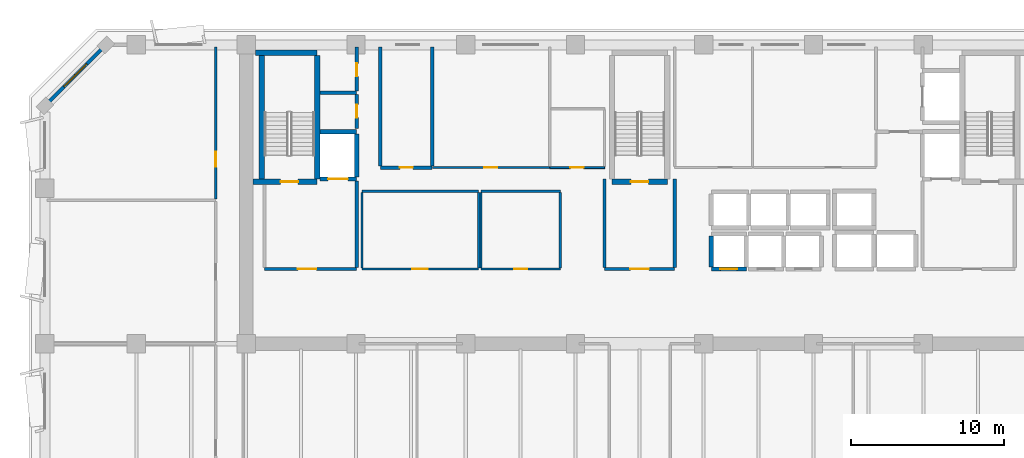
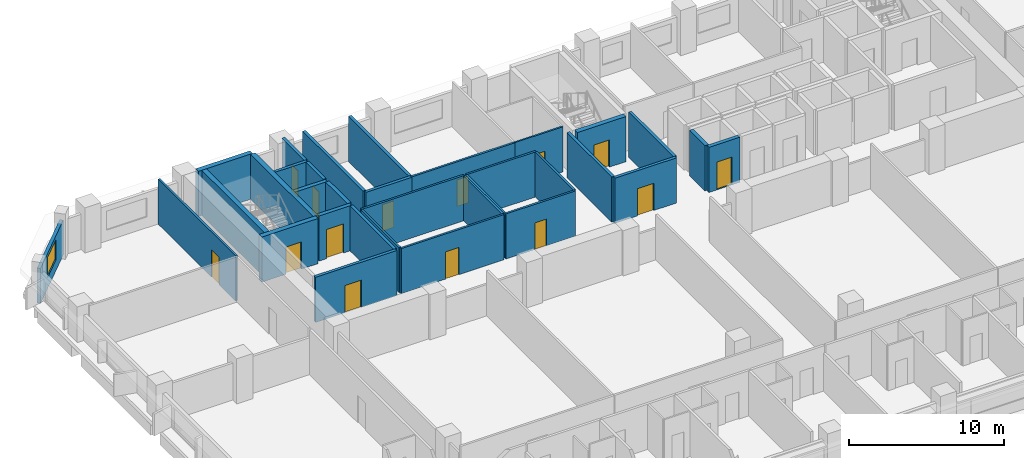
# One storey, part 7 of 15: 33 walls, 14 doors, 1 window, 15 openings.
"""IFC4 building model written with IfcOpenShell, lengths in metres."""

from ifc_helpers import new_model, si_unit, direction, frame, frame_2d, origin, place, context, subcontext, project, spatial, rectangle, extrude, material, layer, layer_set, type_object, element, fill, save


model = new_model("IFC4")

# Units and contexts
model_context = context("Model", 3, precision=1e-05, world=origin(), true_north=direction((0.0, 1.0)))
body_context = subcontext(model_context, "Body", "Model", "MODEL_VIEW")
ifc_project = project(units=[si_unit("LENGTHUNIT", "METRE"), si_unit("AREAUNIT", "SQUARE_METRE"), si_unit("VOLUMEUNIT", "CUBIC_METRE"), si_unit("PLANEANGLEUNIT", "RADIAN"), si_unit("MASSUNIT", "GRAM", prefix="KILO")], contexts=[model_context])

# Site, building, storey
site_placement = place(None, origin())
site = spatial("IfcSite", under=ifc_project, at=site_placement, CompositionType="ELEMENT")
building_placement = place(site_placement, origin())
building = spatial("IfcBuilding", under=site, at=building_placement, Name="Kaelvorn Grand Hotel", CompositionType="ELEMENT")
storey_placement = place(building_placement, frame((0.0, 0.0, 139.14990234375)))
storey = spatial("IfcBuildingStorey", under=building, at=storey_placement, Name="L33", CompositionType="ELEMENT", Elevation=139.14990234375)

# Wall, opening, window
ifc_material_1 = material(Name="Concrete C40/50", Category="concrete")
ifc_layer_1 = layer(ifc_material_1, 0.239990234375)
ifc_layer_set_1 = layer_set([ifc_layer_1], Name="Concrete C40/50")
wall_type_1 = type_object("IfcWallType", Name="WL-EXT-240-C40", PredefinedType="SOLIDWALL", material=ifc_layer_set_1)
wall_1_placement = place(storey_placement, frame((7.0, 49.0, 0.0), z_axis=(0.0, 0.0, 1.0), x_axis=(-0.707106781187, -0.707106781187, 0.0)))
wall_1 = element("IfcWall", 1, at=wall_1_placement, inside=storey, type_object=wall_type_1, Name="L33 Exterior Architectural Concrete Wall 06", PredefinedType="SOLIDWALL", context=body_context, shape_type="SweptSolid", body=[
    extrude(rectangle(XDim=5.65673828125, YDim=0.239990234375, at=frame_2d((2.828369140625, 0.0))), origin(), (0.0, 0.0, 1.0), 2.760009765625),
])
opening_1_placement = place(wall_1_placement, frame((1.7783203125, 0.0, 0.85009765625)))
opening_1 = element("IfcOpeningElement", 2, at=opening_1_placement, cuts=wall_1, Name="Opening W7", PredefinedType="OPENING", context=body_context, shape_type="SweptSolid", body=[
    extrude(rectangle(XDim=2.10009765625, YDim=1.60009765625, at=frame_2d((1.050048828125, 0.800048828125))), frame((0.0, 0.1298828125, 0.0), z_axis=(0.0, -1.0, 0.0), x_axis=(1.0, 0.0, 0.0)), (0.0, 0.0, 1.0), 0.260009765625),
])
ifc_material_2 = material(Name="Laminated Low-E Glass", Category="glass")
window_type = type_object("IfcWindowType", Name="WIN-CHM-2100x1600", PartitioningType="SINGLE_PANEL", PredefinedType="WINDOW", material=ifc_material_2)
window_placement = place(opening_1_placement, origin())
window = element("IfcWindow", 3, at=window_placement, inside=storey, type_object=window_type, Name="L33 Chamfered 45-Degree Corner Window NW", OverallHeight=1.60009765625, OverallWidth=2.10009765625, PartitioningType="SINGLE_PANEL", PredefinedType="WINDOW", context=body_context, shape_type="SweptSolid", body=[
    extrude(rectangle(XDim=2.10009765625, YDim=1.60009765625, at=frame_2d((1.050048828125, 0.800048828125))), frame((0.0, 0.030029296875, 0.0), z_axis=(0.0, -1.0, 0.0), x_axis=(1.0, 0.0, 0.0)), (0.0, 0.0, 1.0), 0.06005859375),
])
fill(opening_1, window)

# Wall, opening, door
ifc_material_3 = material(Name="Moisture-Resistant Tile & Stud Board")
ifc_layer_2 = layer(ifc_material_3, 0.125)
ifc_layer_set_2 = layer_set([ifc_layer_2], Name="Moisture-Resistant Tile & Stud Board")
wall_type_2 = type_object("IfcWallType", Name="WL-PART-125-WET", PredefinedType="PARTITIONING", material=ifc_layer_set_2)
wall_2_placement = place(storey_placement, frame((36.110107421875, 40.949951171875, 0.0), z_axis=(0.0, 0.0, 1.0), x_axis=(1.0, 0.0, 0.0)))
wall_2 = element("IfcWall", 4, at=wall_2_placement, inside=storey, type_object=wall_type_2, Name="L33 Accessible WC S Partition", PredefinedType="PARTITIONING", context=body_context, shape_type="SweptSolid", body=[
    extrude(rectangle(XDim=3.58984375, YDim=0.125, at=frame_2d((1.794921875, 0.0))), origin(), (0.0, 0.0, 1.0), 3.56005859375),
])
opening_2_placement = place(wall_2_placement, frame((1.340087890625, 0.0, 0.0)))
opening_2 = element("IfcOpeningElement", 5, at=opening_2_placement, cuts=wall_2, Name="Opening DI4", PredefinedType="OPENING", context=body_context, shape_type="SweptSolid", body=[
    extrude(rectangle(XDim=0.89990234375, YDim=2.10009765625, at=frame_2d((0.449951171875, 1.050048828125))), frame((0.0, 0.072509765625, 0.0), z_axis=(0.0, -1.0, 0.0), x_axis=(1.0, 0.0, 0.0)), (0.0, 0.0, 1.0), 0.14501953125),
])
ifc_material_4 = material(Name="Timber Veneer Leaf", Category="wood")
door_type_1 = type_object("IfcDoorType", Name="DR-INT-BATH-900x2100", OperationType="NOTDEFINED", PredefinedType="DOOR", material=ifc_material_4)
door_1_placement = place(opening_2_placement, origin())
door_1 = element("IfcDoor", 6, at=door_1_placement, inside=storey, type_object=door_type_1, Name="L33 Accessible WC Door", OperationType="SINGLE_SWING_RIGHT", OverallHeight=2.10009765625, OverallWidth=0.89990234375, PredefinedType="DOOR", context=body_context, shape_type="SweptSolid", body=[
    extrude(rectangle(XDim=0.89990234375, YDim=2.10009765625, at=frame_2d((0.449951171875, 1.050048828125))), frame((0.0, 0.02490234375, 0.0), z_axis=(0.0, -1.0, 0.0), x_axis=(1.0, 0.0, 0.0)), (0.0, 0.0, 1.0), 0.050048828125),
])
fill(opening_2, door_1)

ifc_material_5 = material(Name="Acoustic Gypsum & Stud Partition")
ifc_layer_3 = layer(ifc_material_5, 0.14990234375)
ifc_layer_set_3 = layer_set([ifc_layer_3], Name="Acoustic Gypsum & Stud Partition")
wall_type_3 = type_object("IfcWallType", Name="WL-PART-150-EI60", PredefinedType="PARTITIONING", material=ifc_layer_set_3)
wall_3_placement = place(storey_placement, frame((31.60009765625, 34.300048828125, 0.0), z_axis=(0.0, 0.0, 1.0), x_axis=(1.0, 0.0, 0.0)))
wall_3 = element("IfcWall", 7, at=wall_3_placement, inside=storey, type_object=wall_type_3, Name="L33 Core Telecoms & BMS Server Room S Partition", PredefinedType="PARTITIONING", context=body_context, shape_type="SweptSolid", body=[
    extrude(rectangle(XDim=5.199951171875, YDim=0.14990234375, at=frame_2d((2.60009765625, 0.0))), origin(), (0.0, 0.0, 1.0), 3.56005859375),
])
opening_3_placement = place(wall_3_placement, frame((2.175048828125, 0.0, 0.0)))
opening_3 = element("IfcOpeningElement", 8, at=opening_3_placement, cuts=wall_3, Name="Opening DI7", PredefinedType="OPENING", context=body_context, shape_type="SweptSolid", body=[
    extrude(rectangle(XDim=0.85009765625, YDim=2.10009765625, at=frame_2d((0.425048828125, 1.050048828125))), frame((0.0, 0.0849609375, 0.0), z_axis=(0.0, -1.0, 0.0), x_axis=(1.0, 0.0, 0.0)), (0.0, 0.0, 1.0), 0.169921875),
])
ifc_material_6 = material(Name="Powder-Coated Steel Leaf", Category="steel")
door_type_2 = type_object("IfcDoorType", Name="DR-INT-RISER-850x2100", OperationType="NOTDEFINED", PredefinedType="DOOR", material=ifc_material_6)
door_2_placement = place(opening_3_placement, origin())
door_2 = element("IfcDoor", 9, at=door_2_placement, inside=storey, type_object=door_type_2, Name="L33 Core Telecoms & BMS Server Room Door", OperationType="SINGLE_SWING_RIGHT", OverallHeight=2.10009765625, OverallWidth=0.85009765625, PredefinedType="DOOR", context=body_context, shape_type="SweptSolid", body=[
    extrude(rectangle(XDim=0.85009765625, YDim=2.10009765625, at=frame_2d((0.425048828125, 1.050048828125))), frame((0.0, 0.02490234375, 0.0), z_axis=(0.0, -1.0, 0.0), x_axis=(1.0, 0.0, 0.0)), (0.0, 0.0, 1.0), 0.050048828125),
])
fill(opening_3, door_2)

# Walls
wall_4_placement = place(storey_placement, frame((31.60009765625, 39.39990234375, 0.0), z_axis=(0.0, 0.0, 1.0), x_axis=(1.0, 0.0, 0.0)))
element("IfcWall", 10, at=wall_4_placement, inside=storey, type_object=wall_type_3, Name="L33 Core Telecoms & BMS Server Room N Partition", PredefinedType="PARTITIONING", context=body_context, shape_type="SweptSolid", body=[
    extrude(rectangle(XDim=5.199951171875, YDim=0.14990234375, at=frame_2d((2.60009765625, 0.0))), origin(), (0.0, 0.0, 1.0), 3.56005859375),
])
for number, where, z_axis, x_axis, name in (
    (11, (31.60009765625, 34.3798828125, 0.0), (0.0, 0.0, 1.0), (0.0, 1.0, 0.0), "L33 Core Telecoms & BMS Server Room W Partition"),
    (12, (36.800048828125, 34.3798828125, 0.0), (0.0, 0.0, 1.0), (0.0, 1.0, 0.0), "L33 Core Telecoms & BMS Server Room E Partition"),
):
    element("IfcWall", number, at=place(storey_placement, frame(where, z_axis=z_axis, x_axis=x_axis)), inside=storey, type_object=wall_type_3, Name=name, PredefinedType="PARTITIONING", context=body_context, shape_type="SweptSolid", body=[
        extrude(rectangle(XDim=4.940185546875, YDim=0.14990234375, at=frame_2d((2.47021484375, 0.0))), origin(), (0.0, 0.0, 1.0), 3.56005859375),
    ])

# Wall, opening, door
wall_5_placement = place(storey_placement, frame((23.800048828125, 34.300048828125, 0.0), z_axis=(0.0, 0.0, 1.0), x_axis=(1.0, 0.0, 0.0)))
wall_5 = element("IfcWall", 13, at=wall_5_placement, inside=storey, type_object=wall_type_3, Name="L33 Executive Club Sitting Lounge S Partition", PredefinedType="PARTITIONING", context=body_context, shape_type="SweptSolid", body=[
    extrude(rectangle(XDim=7.64990234375, YDim=0.14990234375, at=frame_2d((3.824951171875, 0.0))), origin(), (0.0, 0.0, 1.0), 3.56005859375),
])
opening_4_placement = place(wall_5_placement, frame((3.300048828125, 0.0, 0.0)))
opening_4 = element("IfcOpeningElement", 14, at=opening_4_placement, cuts=wall_5, Name="Opening DI3", PredefinedType="OPENING", context=body_context, shape_type="SweptSolid", body=[
    extrude(rectangle(XDim=1.0, YDim=2.14990234375, at=frame_2d((0.5, 1.074951171875))), frame((0.0, 0.0849609375, 0.0), z_axis=(0.0, -1.0, 0.0), x_axis=(1.0, 0.0, 0.0)), (0.0, 0.0, 1.0), 0.169921875),
])
ifc_material_7 = material(Name="Timber Veneer Fire Leaf", Category="wood")
door_type_3 = type_object("IfcDoorType", Name="DR-INT-GUEST-1000x2150", OperationType="NOTDEFINED", PredefinedType="DOOR", material=ifc_material_7)
door_3_placement = place(opening_4_placement, origin())
door_3 = element("IfcDoor", 15, at=door_3_placement, inside=storey, type_object=door_type_3, Name="L33 Executive Club Sitting Lounge Door", OperationType="SINGLE_SWING_LEFT", OverallHeight=2.14990234375, OverallWidth=1.0, PredefinedType="DOOR", context=body_context, shape_type="SweptSolid", body=[
    extrude(rectangle(XDim=1.0, YDim=2.14990234375, at=frame_2d((0.5, 1.074951171875))), frame((0.0, 0.02490234375, 0.0), z_axis=(0.0, -1.0, 0.0), x_axis=(1.0, 0.0, 0.0)), (0.0, 0.0, 1.0), 0.050048828125),
])
fill(opening_4, door_3)

# Walls
wall_6_placement = place(storey_placement, frame((23.800048828125, 39.39990234375, 0.0), z_axis=(0.0, 0.0, 1.0), x_axis=(1.0, 0.0, 0.0)))
element("IfcWall", 16, at=wall_6_placement, inside=storey, type_object=wall_type_3, Name="L33 Executive Club Sitting Lounge N Partition", PredefinedType="PARTITIONING", context=body_context, shape_type="SweptSolid", body=[
    extrude(rectangle(XDim=7.64990234375, YDim=0.14990234375, at=frame_2d((3.824951171875, 0.0))), origin(), (0.0, 0.0, 1.0), 3.56005859375),
])
for number, where, z_axis, x_axis, name in (
    (17, (23.800048828125, 34.3798828125, 0.0), (0.0, 0.0, 1.0), (0.0, 1.0, 0.0), "L33 Executive Club Sitting Lounge W Partition"),
    (18, (31.449951171875, 34.3798828125, 0.0), (0.0, 0.0, 1.0), (0.0, 1.0, 0.0), "L33 Executive Club Sitting Lounge E Partition"),
):
    element("IfcWall", number, at=place(storey_placement, frame(where, z_axis=z_axis, x_axis=x_axis)), inside=storey, type_object=wall_type_3, Name=name, PredefinedType="PARTITIONING", context=body_context, shape_type="SweptSolid", body=[
        extrude(rectangle(XDim=4.940185546875, YDim=0.14990234375, at=frame_2d((2.47021484375, 0.0))), origin(), (0.0, 0.0, 1.0), 3.56005859375),
    ])

# Wall, opening, door
wall_7_placement = place(storey_placement, frame((28.409912109375, 40.949951171875, 0.0), z_axis=(0.0, 0.0, 1.0), x_axis=(1.0, 0.0, 0.0)))
wall_7 = element("IfcWall", 19, at=wall_7_placement, inside=storey, type_object=wall_type_3, Name="L33 Housekeeping & Linen Room S Partition", PredefinedType="PARTITIONING", context=body_context, shape_type="SweptSolid", body=[
    extrude(rectangle(XDim=7.690185546875, YDim=0.14990234375, at=frame_2d((3.84521484375, 0.0))), origin(), (0.0, 0.0, 1.0), 3.56005859375),
])
opening_5_placement = place(wall_7_placement, frame((3.4150390625, 0.0, 0.0)))
opening_5 = element("IfcOpeningElement", 20, at=opening_5_placement, cuts=wall_7, Name="Opening DI7", PredefinedType="OPENING", context=body_context, shape_type="SweptSolid", body=[
    extrude(rectangle(XDim=0.85009765625, YDim=2.10009765625, at=frame_2d((0.425048828125, 1.050048828125))), frame((0.0, 0.0849609375, 0.0), z_axis=(0.0, -1.0, 0.0), x_axis=(1.0, 0.0, 0.0)), (0.0, 0.0, 1.0), 0.169921875),
])
door_4_placement = place(opening_5_placement, origin())
door_4 = element("IfcDoor", 21, at=door_4_placement, inside=storey, type_object=door_type_2, Name="L33 Housekeeping & Linen Room Door", OperationType="SINGLE_SWING_LEFT", OverallHeight=2.10009765625, OverallWidth=0.85009765625, PredefinedType="DOOR", context=body_context, shape_type="SweptSolid", body=[
    extrude(rectangle(XDim=0.85009765625, YDim=2.10009765625, at=frame_2d((0.425048828125, 1.050048828125))), frame((0.0, 0.02490234375, 0.0), z_axis=(0.0, -1.0, 0.0), x_axis=(1.0, 0.0, 0.0)), (0.0, 0.0, 1.0), 0.050048828125),
])
fill(opening_5, door_4)

wall_8_placement = place(storey_placement, frame((14.199951171875, 38.8798828125, 0.0), z_axis=(0.0, 0.0, 1.0), x_axis=(0.0, 1.0, 0.0)))
wall_8 = element("IfcWall", 22, at=wall_8_placement, inside=storey, type_object=wall_type_3, Name="L33 North-West Hospitality Tea Kitchen E Partition", PredefinedType="PARTITIONING", context=body_context, shape_type="SweptSolid", body=[
    extrude(rectangle(XDim=9.97021484375, YDim=0.14990234375, at=frame_2d((4.985107421875, 0.0))), origin(), (0.0, 0.0, 1.0), 3.56005859375),
])
opening_6_placement = place(wall_8_placement, frame((2.1201171875, 0.0, 0.0)))
opening_6 = element("IfcOpeningElement", 23, at=opening_6_placement, cuts=wall_8, Name="Opening DI3", PredefinedType="OPENING", context=body_context, shape_type="SweptSolid", body=[
    extrude(rectangle(XDim=1.0, YDim=2.14990234375, at=frame_2d((0.5, 1.074951171875))), frame((0.0, 0.0849609375, 0.0), z_axis=(0.0, -1.0, 0.0), x_axis=(1.0, 0.0, 0.0)), (0.0, 0.0, 1.0), 0.169921875),
])
door_5_placement = place(opening_6_placement, origin())
door_5 = element("IfcDoor", 24, at=door_5_placement, inside=storey, type_object=door_type_3, Name="L33 North-West Hospitality Tea Kitchen Door", OperationType="SINGLE_SWING_RIGHT", OverallHeight=2.14990234375, OverallWidth=1.0, PredefinedType="DOOR", context=body_context, shape_type="SweptSolid", body=[
    extrude(rectangle(XDim=1.0, YDim=2.14990234375, at=frame_2d((0.5, 1.074951171875))), frame((0.0, 0.02490234375, 0.0), z_axis=(0.0, -1.0, 0.0), x_axis=(1.0, 0.0, 0.0)), (0.0, 0.0, 1.0), 0.050048828125),
])
fill(opening_6, door_5)

ifc_layer_4 = layer(ifc_material_1, 0.219970703125)
ifc_layer_set_4 = layer_set([ifc_layer_4], Name="Concrete C40/50")
wall_type_4 = type_object("IfcWallType", Name="WL-PART-220-EI120", PredefinedType="PARTITIONING", material=ifc_layer_set_4)
wall_9_placement = place(storey_placement, frame((17.39990234375, 34.300048828125, 0.0), z_axis=(0.0, 0.0, 1.0), x_axis=(1.0, 0.0, 0.0)))
wall_9 = element("IfcWall", 25, at=wall_9_placement, inside=storey, type_object=wall_type_4, Name="L33 Firefighting Lift Lobby 1 S Partition", PredefinedType="PARTITIONING", context=body_context, shape_type="SweptSolid", body=[
    extrude(rectangle(XDim=6.050048828125, YDim=0.219970703125, at=frame_2d((3.02490234375, 0.0))), origin(), (0.0, 0.0, 1.0), 3.56005859375),
])
opening_7_placement = place(wall_9_placement, frame((2.199951171875, 0.0, 0.0)))
opening_7 = element("IfcOpeningElement", 26, at=opening_7_placement, cuts=wall_9, Name="Opening DI2", PredefinedType="OPENING", context=body_context, shape_type="SweptSolid", body=[
    extrude(rectangle(XDim=1.199951171875, YDim=2.14990234375, at=frame_2d((0.60009765625, 1.074951171875))), frame((0.0, 0.1201171875, 0.0), z_axis=(0.0, -1.0, 0.0), x_axis=(1.0, 0.0, 0.0)), (0.0, 0.0, 1.0), 0.239990234375),
])
door_type_4 = type_object("IfcDoorType", Name="DR-INT-FFLOB-1200x2150", OperationType="NOTDEFINED", PredefinedType="DOOR", material=ifc_material_7)
door_6_placement = place(opening_7_placement, origin())
door_6 = element("IfcDoor", 27, at=door_6_placement, inside=storey, type_object=door_type_4, Name="L33 Firefighting Lift Lobby 1 Door", OperationType="SINGLE_SWING_RIGHT", OverallHeight=2.14990234375, OverallWidth=1.199951171875, PredefinedType="DOOR", context=body_context, shape_type="SweptSolid", body=[
    extrude(rectangle(XDim=1.199951171875, YDim=2.14990234375, at=frame_2d((0.60009765625, 1.074951171875))), frame((0.0, 0.02490234375, 0.0), z_axis=(0.0, -1.0, 0.0), x_axis=(1.0, 0.0, 0.0)), (0.0, 0.0, 1.0), 0.050048828125),
])
fill(opening_7, door_6)

# Wall
wall_10_placement = place(storey_placement, frame((23.449951171875, 34.4150390625, 0.0), z_axis=(0.0, 0.0, 1.0), x_axis=(0.0, 1.0, 0.0)))
element("IfcWall", 28, at=wall_10_placement, inside=storey, type_object=wall_type_4, Name="L33 Firefighting Lift Lobby 1 E Partition", PredefinedType="PARTITIONING", context=body_context, shape_type="SweptSolid", body=[
    extrude(rectangle(XDim=5.639892578125, YDim=0.219970703125, at=frame_2d((2.81982421875, 0.0))), origin(), (0.0, 0.0, 1.0), 3.56005859375),
])

# Wall, opening, door
wall_11_placement = place(storey_placement, frame((39.699951171875, 34.300048828125, 0.0), z_axis=(0.0, 0.0, 1.0), x_axis=(1.0, 0.0, 0.0)))
wall_11 = element("IfcWall", 29, at=wall_11_placement, inside=storey, type_object=wall_type_4, Name="L33 Central Stair Escape Vestibule S Partition", PredefinedType="PARTITIONING", context=body_context, shape_type="SweptSolid", body=[
    extrude(rectangle(XDim=4.60009765625, YDim=0.219970703125, at=frame_2d((2.300048828125, 0.0))), origin(), (0.0, 0.0, 1.0), 3.56005859375),
])
opening_8_placement = place(wall_11_placement, frame((1.699951171875, 0.0, 0.0)))
opening_8 = element("IfcOpeningElement", 30, at=opening_8_placement, cuts=wall_11, Name="Opening DI2", PredefinedType="OPENING", context=body_context, shape_type="SweptSolid", body=[
    extrude(rectangle(XDim=1.199951171875, YDim=2.14990234375, at=frame_2d((0.60009765625, 1.074951171875))), frame((0.0, 0.1201171875, 0.0), z_axis=(0.0, -1.0, 0.0), x_axis=(1.0, 0.0, 0.0)), (0.0, 0.0, 1.0), 0.239990234375),
])
door_7_placement = place(opening_8_placement, origin())
door_7 = element("IfcDoor", 31, at=door_7_placement, inside=storey, type_object=door_type_4, Name="L33 Central Stair Escape Vestibule Door", OperationType="SINGLE_SWING_RIGHT", OverallHeight=2.14990234375, OverallWidth=1.199951171875, PredefinedType="DOOR", context=body_context, shape_type="SweptSolid", body=[
    extrude(rectangle(XDim=1.199951171875, YDim=2.14990234375, at=frame_2d((0.60009765625, 1.074951171875))), frame((0.0, 0.02490234375, 0.0), z_axis=(0.0, -1.0, 0.0), x_axis=(1.0, 0.0, 0.0)), (0.0, 0.0, 1.0), 0.050048828125),
])
fill(opening_8, door_7)

# Walls
for number, where, z_axis, x_axis, name in (
    (32, (39.699951171875, 34.4150390625, 0.0), (0.0, 0.0, 1.0), (0.0, 1.0, 0.0), "L33 Central Stair Escape Vestibule W Partition"),
    (33, (44.300048828125, 34.4150390625, 0.0), (0.0, 0.0, 1.0), (0.0, 1.0, 0.0), "L33 Central Stair Escape Vestibule E Partition"),
):
    element("IfcWall", number, at=place(storey_placement, frame(where, z_axis=z_axis, x_axis=x_axis)), inside=storey, type_object=wall_type_4, Name=name, PredefinedType="PARTITIONING", context=body_context, shape_type="SweptSolid", body=[
        extrude(rectangle(XDim=5.784912109375, YDim=0.219970703125, at=frame_2d((2.892578125, 0.0))), origin(), (0.0, 0.0, 1.0), 3.56005859375),
    ])
wall_12_placement = place(storey_placement, frame((21.034912109375, 45.85009765625, 0.0), z_axis=(0.0, 0.0, 1.0), x_axis=(1.0, 0.0, 0.0)))
element("IfcWall", 34, at=wall_12_placement, inside=storey, type_object=wall_type_4, Name="L33 Wet Fire & Plumbing Riser Shaft N Partition", PredefinedType="PARTITIONING", context=body_context, shape_type="SweptSolid", body=[
    extrude(rectangle(XDim=2.4150390625, YDim=0.219970703125, at=frame_2d((1.20751953125, 0.0))), origin(), (0.0, 0.0, 1.0), 3.56005859375),
])

# Wall, opening, door
wall_13_placement = place(storey_placement, frame((23.449951171875, 43.5, 0.0), z_axis=(0.0, 0.0, 1.0), x_axis=(0.0, 1.0, 0.0)))
wall_13 = element("IfcWall", 35, at=wall_13_placement, inside=storey, type_object=wall_type_4, Name="L33 Wet Fire & Plumbing Riser Shaft E Partition", PredefinedType="PARTITIONING", context=body_context, shape_type="SweptSolid", body=[
    extrude(rectangle(XDim=2.235107421875, YDim=0.219970703125, at=frame_2d((1.11767578125, 0.0))), origin(), (0.0, 0.0, 1.0), 3.56005859375),
])
opening_9_placement = place(wall_13_placement, frame((0.72509765625, 0.0, 0.0)))
opening_9 = element("IfcOpeningElement", 36, at=opening_9_placement, cuts=wall_13, Name="Opening DI7", PredefinedType="OPENING", context=body_context, shape_type="SweptSolid", body=[
    extrude(rectangle(XDim=0.85009765625, YDim=2.10009765625, at=frame_2d((0.425048828125, 1.050048828125))), frame((0.0, 0.1201171875, 0.0), z_axis=(0.0, -1.0, 0.0), x_axis=(1.0, 0.0, 0.0)), (0.0, 0.0, 1.0), 0.239990234375),
])
door_8_placement = place(opening_9_placement, origin())
door_8 = element("IfcDoor", 37, at=door_8_placement, inside=storey, type_object=door_type_2, Name="L33 Wet Fire & Plumbing Riser Shaft Door", OperationType="SINGLE_SWING_RIGHT", OverallHeight=2.10009765625, OverallWidth=0.85009765625, PredefinedType="DOOR", context=body_context, shape_type="SweptSolid", body=[
    extrude(rectangle(XDim=0.85009765625, YDim=2.10009765625, at=frame_2d((0.425048828125, 1.050048828125))), frame((0.0, 0.02490234375, 0.0), z_axis=(0.0, -1.0, 0.0), x_axis=(1.0, 0.0, 0.0)), (0.0, 0.0, 1.0), 0.050048828125),
])
fill(opening_9, door_8)

wall_14_placement = place(storey_placement, frame((23.449951171875, 45.965087890625, 0.0), z_axis=(0.0, 0.0, 1.0), x_axis=(0.0, 1.0, 0.0)))
wall_14 = element("IfcWall", 38, at=wall_14_placement, inside=storey, type_object=wall_type_4, Name="L33 HV Electrical & Smoke Riser E Partition", PredefinedType="PARTITIONING", context=body_context, shape_type="SweptSolid", body=[
    extrude(rectangle(XDim=2.885009765625, YDim=0.219970703125, at=frame_2d((1.4423828125, 0.0))), origin(), (0.0, 0.0, 1.0), 3.56005859375),
])
opening_10_placement = place(wall_14_placement, frame((0.9599609375, 0.0, 0.0)))
opening_10 = element("IfcOpeningElement", 39, at=opening_10_placement, cuts=wall_14, Name="Opening DI7", PredefinedType="OPENING", context=body_context, shape_type="SweptSolid", body=[
    extrude(rectangle(XDim=0.85009765625, YDim=2.10009765625, at=frame_2d((0.425048828125, 1.050048828125))), frame((0.0, 0.1201171875, 0.0), z_axis=(0.0, -1.0, 0.0), x_axis=(1.0, 0.0, 0.0)), (0.0, 0.0, 1.0), 0.239990234375),
])
door_9_placement = place(opening_10_placement, origin())
door_9 = element("IfcDoor", 40, at=door_9_placement, inside=storey, type_object=door_type_2, Name="L33 HV Electrical & Smoke Riser Door", OperationType="SINGLE_SWING_LEFT", OverallHeight=2.10009765625, OverallWidth=0.85009765625, PredefinedType="DOOR", context=body_context, shape_type="SweptSolid", body=[
    extrude(rectangle(XDim=0.85009765625, YDim=2.10009765625, at=frame_2d((0.425048828125, 1.050048828125))), frame((0.0, 0.02490234375, 0.0), z_axis=(0.0, -1.0, 0.0), x_axis=(1.0, 0.0, 0.0)), (0.0, 0.0, 1.0), 0.050048828125),
])
fill(opening_10, door_9)

wall_15_placement = place(storey_placement, frame((25.0, 40.949951171875, 0.0), z_axis=(0.0, 0.0, 1.0), x_axis=(1.0, 0.0, 0.0)))
wall_15 = element("IfcWall", 41, at=wall_15_placement, inside=storey, type_object=wall_type_4, Name="L33 Electrical Distribution Room S Partition", PredefinedType="PARTITIONING", context=body_context, shape_type="SweptSolid", body=[
    extrude(rectangle(XDim=3.39990234375, YDim=0.219970703125, at=frame_2d((1.699951171875, 0.0))), origin(), (0.0, 0.0, 1.0), 3.56005859375),
])
opening_11_placement = place(wall_15_placement, frame((1.27490234375, 0.0, 0.0)))
opening_11 = element("IfcOpeningElement", 42, at=opening_11_placement, cuts=wall_15, Name="Opening DI7", PredefinedType="OPENING", context=body_context, shape_type="SweptSolid", body=[
    extrude(rectangle(XDim=0.85009765625, YDim=2.10009765625, at=frame_2d((0.425048828125, 1.050048828125))), frame((0.0, 0.1201171875, 0.0), z_axis=(0.0, -1.0, 0.0), x_axis=(1.0, 0.0, 0.0)), (0.0, 0.0, 1.0), 0.239990234375),
])
door_10_placement = place(opening_11_placement, origin())
door_10 = element("IfcDoor", 43, at=door_10_placement, inside=storey, type_object=door_type_2, Name="L33 Electrical Distribution Room Door", OperationType="SINGLE_SWING_RIGHT", OverallHeight=2.10009765625, OverallWidth=0.85009765625, PredefinedType="DOOR", context=body_context, shape_type="SweptSolid", body=[
    extrude(rectangle(XDim=0.85009765625, YDim=2.10009765625, at=frame_2d((0.425048828125, 1.050048828125))), frame((0.0, 0.02490234375, 0.0), z_axis=(0.0, -1.0, 0.0), x_axis=(1.0, 0.0, 0.0)), (0.0, 0.0, 1.0), 0.050048828125),
])
fill(opening_11, door_10)

# Walls
for number, where, z_axis, x_axis, name in (
    (44, (25.0, 41.06494140625, 0.0), (0.0, 0.0, 1.0), (0.0, 1.0, 0.0), "L33 Electrical Distribution Room W Partition"),
    (45, (28.39990234375, 41.06494140625, 0.0), (0.0, 0.0, 1.0), (0.0, 1.0, 0.0), "L33 Electrical Distribution Room E Partition"),
):
    element("IfcWall", number, at=place(storey_placement, frame(where, z_axis=z_axis, x_axis=x_axis)), inside=storey, type_object=wall_type_4, Name=name, PredefinedType="PARTITIONING", context=body_context, shape_type="SweptSolid", body=[
        extrude(rectangle(XDim=7.78515625, YDim=0.219970703125, at=frame_2d((3.892578125, 0.0))), origin(), (0.0, 0.0, 1.0), 3.56005859375),
    ])

# Wall, opening, door
ifc_material_8 = material(Name="Concrete C50/60", Category="concrete")
ifc_layer_5 = layer(ifc_material_8, 0.280029296875)
ifc_layer_set_5 = layer_set([ifc_layer_5], Name="Concrete C50/60")
wall_type_5 = type_object("IfcWallType", Name="WL-SHAFT-280-C50", PredefinedType="SHEAR", material=ifc_layer_set_5)
wall_16_placement = place(storey_placement, frame((46.699951171875, 34.300048828125, 0.0), z_axis=(0.0, 0.0, 1.0), x_axis=(1.0, 0.0, 0.0)))
wall_16 = element("IfcWall", 46, at=wall_16_placement, inside=storey, type_object=wall_type_5, Name="L33 Lift PL-M1 Shaft South Wall", PredefinedType="SHEAR", context=body_context, shape_type="SweptSolid", body=[
    extrude(rectangle(XDim=2.300048828125, YDim=0.280029296875, at=frame_2d((1.14990234375, 0.0))), origin(), (0.0, 0.0, 1.0), 3.56005859375),
])
opening_12_placement = place(wall_16_placement, frame((0.60009765625, 0.0, 0.0)))
opening_12 = element("IfcOpeningElement", 47, at=opening_12_placement, cuts=wall_16, Name="Opening LD-PL-M1", PredefinedType="OPENING", context=body_context, shape_type="SweptSolid", body=[
    extrude(rectangle(XDim=1.10009765625, YDim=2.199951171875, at=frame_2d((0.550048828125, 1.10009765625))), frame((0.0, 0.14990234375, 0.0), z_axis=(0.0, -1.0, 0.0), x_axis=(1.0, 0.0, 0.0)), (0.0, 0.0, 1.0), 0.300048828125),
])
ifc_material_9 = material(Name="Stainless Steel", Category="steel")
door_type_5 = type_object("IfcDoorType", Name="DR-LIFT-PASS-1100x2200", OperationType="DOUBLE_DOOR_SLIDING", PredefinedType="DOOR", material=ifc_material_9)
door_11_placement = place(opening_12_placement, origin())
door_11 = element("IfcDoor", 48, at=door_11_placement, inside=storey, type_object=door_type_5, Name="L33 Lift PL-M1 Sliding Landing Door LD-PL-M1", OperationType="DOUBLE_DOOR_SLIDING", OverallHeight=2.199951171875, OverallWidth=1.10009765625, PredefinedType="DOOR", context=body_context, shape_type="SweptSolid", body=[
    extrude(rectangle(XDim=1.10009765625, YDim=2.199951171875, at=frame_2d((0.550048828125, 1.10009765625))), frame((0.0, 0.02490234375, 0.0), z_axis=(0.0, -1.0, 0.0), x_axis=(1.0, 0.0, 0.0)), (0.0, 0.0, 1.0), 0.050048828125),
])
fill(opening_12, door_11)

# Wall
wall_17_placement = place(storey_placement, frame((46.699951171875, 34.445068359375, 0.0), z_axis=(0.0, 0.0, 1.0), x_axis=(0.0, 1.0, 0.0)))
element("IfcWall", 49, at=wall_17_placement, inside=storey, type_object=wall_type_5, Name="L33 Lift PL-M1 Shaft West Wall", PredefinedType="SHEAR", context=body_context, shape_type="SweptSolid", body=[
    extrude(rectangle(XDim=2.010009765625, YDim=0.280029296875, at=frame_2d((1.0048828125, 0.0))), origin(), (0.0, 0.0, 1.0), 3.56005859375),
])

# Wall, opening, door
wall_18_placement = place(storey_placement, frame((21.034912109375, 40.199951171875, 0.0), z_axis=(0.0, 0.0, 1.0), x_axis=(1.0, 0.0, 0.0)))
wall_18 = element("IfcWall", 50, at=wall_18_placement, inside=storey, type_object=wall_type_5, Name="L33 Lift FFL1 Shaft South Wall", PredefinedType="SHEAR", context=body_context, shape_type="SweptSolid", body=[
    extrude(rectangle(XDim=2.4150390625, YDim=0.280029296875, at=frame_2d((1.20751953125, 0.0))), origin(), (0.0, 0.0, 1.0), 3.56005859375),
])
opening_13_placement = place(wall_18_placement, frame((0.5400390625, 0.0, 0.0)))
opening_13 = element("IfcOpeningElement", 51, at=opening_13_placement, cuts=wall_18, Name="Opening LD-FFL1", PredefinedType="OPENING", context=body_context, shape_type="SweptSolid", body=[
    extrude(rectangle(XDim=1.300048828125, YDim=2.300048828125, at=frame_2d((0.64990234375, 1.14990234375))), frame((0.0, 0.14990234375, 0.0), z_axis=(0.0, -1.0, 0.0), x_axis=(1.0, 0.0, 0.0)), (0.0, 0.0, 1.0), 0.300048828125),
])
door_type_6 = type_object("IfcDoorType", Name="DR-LIFT-SERV-1300x2300", OperationType="DOUBLE_DOOR_SLIDING", PredefinedType="DOOR", material=ifc_material_9)
door_12_placement = place(opening_13_placement, origin())
door_12 = element("IfcDoor", 52, at=door_12_placement, inside=storey, type_object=door_type_6, Name="L33 Lift FFL1 Sliding Landing Door LD-FFL1", OperationType="DOUBLE_DOOR_SLIDING", OverallHeight=2.300048828125, OverallWidth=1.300048828125, PredefinedType="DOOR", context=body_context, shape_type="SweptSolid", body=[
    extrude(rectangle(XDim=1.300048828125, YDim=2.300048828125, at=frame_2d((0.64990234375, 1.14990234375))), frame((0.0, 0.02490234375, 0.0), z_axis=(0.0, -1.0, 0.0), x_axis=(1.0, 0.0, 0.0)), (0.0, 0.0, 1.0), 0.050048828125),
])
fill(opening_13, door_12)

# Walls
wall_19_placement = place(storey_placement, frame((21.034912109375, 43.300048828125, 0.0), z_axis=(0.0, 0.0, 1.0), x_axis=(1.0, 0.0, 0.0)))
element("IfcWall", 53, at=wall_19_placement, inside=storey, type_object=wall_type_5, Name="L33 Lift FFL1 Shaft North Wall", PredefinedType="SHEAR", context=body_context, shape_type="SweptSolid", body=[
    extrude(rectangle(XDim=2.4150390625, YDim=0.280029296875, at=frame_2d((1.20751953125, 0.0))), origin(), (0.0, 0.0, 1.0), 3.56005859375),
])
wall_20_placement = place(storey_placement, frame((23.449951171875, 40.344970703125, 0.0), z_axis=(0.0, 0.0, 1.0), x_axis=(0.0, 1.0, 0.0)))
element("IfcWall", 54, at=wall_20_placement, inside=storey, type_object=wall_type_5, Name="L33 Lift FFL1 Shaft East Wall", PredefinedType="SHEAR", context=body_context, shape_type="SweptSolid", body=[
    extrude(rectangle(XDim=2.81005859375, YDim=0.280029296875, at=frame_2d((1.405029296875, 0.0))), origin(), (0.0, 0.0, 1.0), 3.56005859375),
])

# Wall, opening, door
ifc_material_10 = material(Name="Concrete C60/75", Category="concrete")
ifc_layer_6 = layer(ifc_material_10, 0.35009765625)
ifc_layer_set_6 = layer_set([ifc_layer_6], Name="Concrete C60/75")
wall_type_6 = type_object("IfcWallType", Name="WL-SHAFT-350-C60", PredefinedType="SHEAR", material=ifc_layer_set_6)
wall_21_placement = place(storey_placement, frame((16.655029296875, 40.02490234375, 0.0), z_axis=(0.0, 0.0, 1.0), x_axis=(1.0, 0.0, 0.0)))
wall_21 = element("IfcWall", 55, at=wall_21_placement, inside=storey, type_object=wall_type_6, Name="L33 ST1 Stair Shaft South Wall", PredefinedType="SHEAR", context=body_context, shape_type="SweptSolid", body=[
    extrude(rectangle(XDim=4.199951171875, YDim=0.35009765625, at=frame_2d((2.10009765625, 0.0))), origin(), (0.0, 0.0, 1.0), 3.56005859375),
])
opening_14_placement = place(wall_21_placement, frame((1.81005859375, 0.0, 0.0)))
opening_14 = element("IfcOpeningElement", 56, at=opening_14_placement, cuts=wall_21, Name="Opening DI1", PredefinedType="OPENING", context=body_context, shape_type="SweptSolid", body=[
    extrude(rectangle(XDim=1.14990234375, YDim=2.14990234375, at=frame_2d((0.574951171875, 1.074951171875))), frame((0.0, 0.18505859375, 0.0), z_axis=(0.0, -1.0, 0.0), x_axis=(1.0, 0.0, 0.0)), (0.0, 0.0, 1.0), 0.3701171875),
])
door_type_7 = type_object("IfcDoorType", Name="DR-INT-STAIR-1150x2150", OperationType="NOTDEFINED", PredefinedType="DOOR", material=ifc_material_7)
door_13_placement = place(opening_14_placement, origin())
door_13 = element("IfcDoor", 57, at=door_13_placement, inside=storey, type_object=door_type_7, Name="L33 ST1 Exit Stair Fire Door", OperationType="SINGLE_SWING_LEFT", OverallHeight=2.14990234375, OverallWidth=1.14990234375, PredefinedType="DOOR", context=body_context, shape_type="SweptSolid", body=[
    extrude(rectangle(XDim=1.14990234375, YDim=2.14990234375, at=frame_2d((0.574951171875, 1.074951171875))), frame((0.0, 0.02490234375, 0.0), z_axis=(0.0, -1.0, 0.0), x_axis=(1.0, 0.0, 0.0)), (0.0, 0.0, 1.0), 0.050048828125),
])
fill(opening_14, door_13)

# Walls
wall_22_placement = place(storey_placement, frame((16.804931640625, 48.47509765625, 0.0), z_axis=(0.0, 0.0, 1.0), x_axis=(1.0, 0.0, 0.0)))
element("IfcWall", 58, at=wall_22_placement, inside=storey, type_object=wall_type_6, Name="L33 ST1 Stair Shaft North Wall", PredefinedType="SHEAR", context=body_context, shape_type="SweptSolid", body=[
    extrude(rectangle(XDim=4.050048828125, YDim=0.35009765625, at=frame_2d((2.02490234375, 0.0))), origin(), (0.0, 0.0, 1.0), 3.56005859375),
])
for number, where, z_axis, x_axis, name in (
    (59, (17.22509765625, 40.205078125, 0.0), (0.0, 0.0, 1.0), (0.0, 1.0, 0.0), "L33 ST1 Stair Shaft West Wall"),
    (60, (20.85498046875, 40.205078125, 0.0), (0.0, 0.0, 1.0), (0.0, 1.0, 0.0), "L33 ST1 Stair Shaft East Wall"),
):
    element("IfcWall", number, at=place(storey_placement, frame(where, z_axis=z_axis, x_axis=x_axis)), inside=storey, type_object=wall_type_6, Name=name, PredefinedType="SHEAR", context=body_context, shape_type="SweptSolid", body=[
        extrude(rectangle(XDim=8.08984375, YDim=0.35009765625, at=frame_2d((4.044921875, 0.0))), origin(), (0.0, 0.0, 1.0), 3.56005859375),
    ])

# Wall, opening, door
wall_23_placement = place(storey_placement, frame((40.18505859375, 40.02490234375, 0.0), z_axis=(0.0, 0.0, 1.0), x_axis=(1.0, 0.0, 0.0)))
wall_23 = element("IfcWall", 61, at=wall_23_placement, inside=storey, type_object=wall_type_6, Name="L33 ST2 Stair Shaft South Wall", PredefinedType="SHEAR", context=body_context, shape_type="SweptSolid", body=[
    extrude(rectangle(XDim=3.6298828125, YDim=0.35009765625, at=frame_2d((1.81494140625, 0.0))), origin(), (0.0, 0.0, 1.0), 3.56005859375),
])
opening_15_placement = place(wall_23_placement, frame((1.239990234375, 0.0, 0.0)))
opening_15 = element("IfcOpeningElement", 62, at=opening_15_placement, cuts=wall_23, Name="Opening DI1", PredefinedType="OPENING", context=body_context, shape_type="SweptSolid", body=[
    extrude(rectangle(XDim=1.14990234375, YDim=2.14990234375, at=frame_2d((0.574951171875, 1.074951171875))), frame((0.0, 0.18505859375, 0.0), z_axis=(0.0, -1.0, 0.0), x_axis=(1.0, 0.0, 0.0)), (0.0, 0.0, 1.0), 0.3701171875),
])
door_14_placement = place(opening_15_placement, origin())
door_14 = element("IfcDoor", 63, at=door_14_placement, inside=storey, type_object=door_type_7, Name="L33 ST2 Exit Stair Fire Door", OperationType="SINGLE_SWING_RIGHT", OverallHeight=2.14990234375, OverallWidth=1.14990234375, PredefinedType="DOOR", context=body_context, shape_type="SweptSolid", body=[
    extrude(rectangle(XDim=1.14990234375, YDim=2.14990234375, at=frame_2d((0.574951171875, 1.074951171875))), frame((0.0, 0.02490234375, 0.0), z_axis=(0.0, -1.0, 0.0), x_axis=(1.0, 0.0, 0.0)), (0.0, 0.0, 1.0), 0.050048828125),
])
fill(opening_15, door_14)

save(model, "model.ifc")
